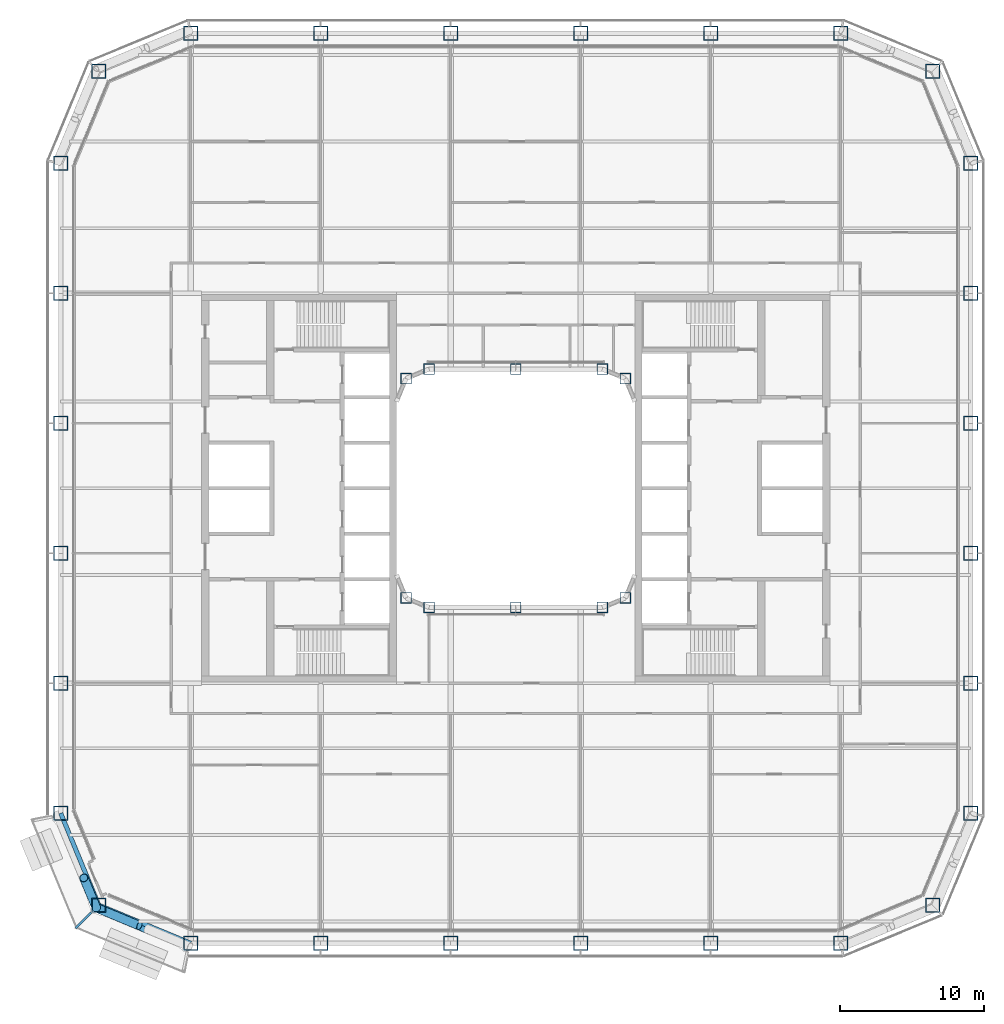
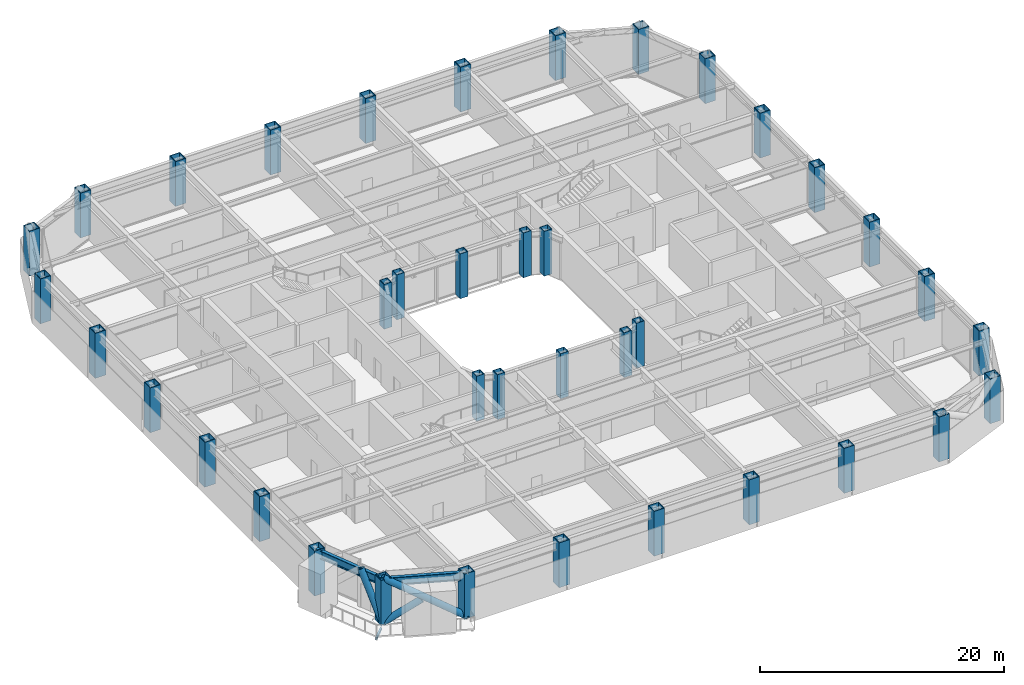
# One storey, part 1 of 27: 38 columns, 3 beams, 3 members.
"""IFC4 building model written with IfcOpenShell, lengths in metres."""

from ifc_helpers import new_model, si_unit, direction, frame, origin, origin_2d, place, context, subcontext, project, spatial, hollow_rectangle, hollow_circle, i_section, extrude, material, material_profile, profile_set, type_object, element, save


model = new_model("IFC4")

# Units and contexts
model_context = context("Model", 3, precision=1e-05, world=origin(), true_north=direction((0.0, 1.0)))
body_context = subcontext(model_context, "Body", "Model", "MODEL_VIEW")
ifc_project = project(units=[si_unit("LENGTHUNIT", "METRE"), si_unit("AREAUNIT", "SQUARE_METRE"), si_unit("VOLUMEUNIT", "CUBIC_METRE"), si_unit("PLANEANGLEUNIT", "RADIAN"), si_unit("MASSUNIT", "GRAM", prefix="KILO")], contexts=[model_context])

# Site, building, storey
site_placement = place(None, origin())
site = spatial("IfcSite", under=ifc_project, at=site_placement, CompositionType="ELEMENT")
building_placement = place(site_placement, origin())
building = spatial("IfcBuilding", under=site, at=building_placement, Name="Siwar Civic Tower", CompositionType="ELEMENT")
storey_placement = place(building_placement, frame((0.0, 0.0, 53.699951171875)))
storey = spatial("IfcBuildingStorey", under=building, at=storey_placement, Name="L11", CompositionType="ELEMENT", Elevation=53.699951171875)

# Columns
ifc_material_1 = material(Name="Steel S460", Category="steel")
ifc_material_profile_1 = material_profile(ifc_material_1, hollow_rectangle(XDim=1.0, YDim=1.0, WallThickness=0.06005859375, at=origin_2d()), Name="BOX1000x1000x60")
ifc_profile_set_1 = profile_set([ifc_material_profile_1], Name="Steel S460")
column_type_1 = type_object("IfcColumnType", Name="STR-COL-BOX1000x1000x60", PredefinedType="COLUMN", material=ifc_profile_set_1)
for number, where, z_axis, x_axis, name in (
    (1, (-22.5, -31.5, 0.0), (0.0, 0.0, 1.0), (1.0, 0.0, 0.0), "L11/col/S-0"),
    (2, (-13.5, -31.5, 0.0), (0.0, 0.0, 1.0), (1.0, 0.0, 0.0), "L11/col/S-1"),
    (3, (-4.5, -31.5, 0.0), (0.0, 0.0, 1.0), (1.0, 0.0, 0.0), "L11/col/S-2"),
    (4, (4.5, -31.5, 0.0), (0.0, 0.0, 1.0), (1.0, 0.0, 0.0), "L11/col/S-3"),
    (5, (13.5, -31.5, 0.0), (0.0, 0.0, 1.0), (1.0, 0.0, 0.0), "L11/col/S-4"),
    (6, (22.5, -31.5, 0.0), (0.0, 0.0, 1.0), (1.0, 0.0, 0.0), "L11/col/SE1-0"),
    (7, (28.864013671875, -28.864013671875, 0.0), (0.0, 0.0, 1.0), (1.0, 0.0, 0.0), "L11/col/SE2-0"),
    (8, (31.5, -22.5, 0.0), (0.0, 0.0, 1.0), (1.0, 0.0, 0.0), "L11/col/E-0"),
    (9, (31.5, -13.5, 0.0), (0.0, 0.0, 1.0), (1.0, 0.0, 0.0), "L11/col/E-1"),
    (10, (31.5, -4.5, 0.0), (0.0, 0.0, 1.0), (1.0, 0.0, 0.0), "L11/col/E-2"),
    (11, (31.5, 4.5, 0.0), (0.0, 0.0, 1.0), (1.0, 0.0, 0.0), "L11/col/E-3"),
    (12, (31.5, 13.5, 0.0), (0.0, 0.0, 1.0), (1.0, 0.0, 0.0), "L11/col/E-4"),
    (13, (31.5, 22.5, 0.0), (0.0, 0.0, 1.0), (1.0, 0.0, 0.0), "L11/col/NE1-0"),
    (14, (28.864013671875, 28.864013671875, 0.0), (0.0, 0.0, 1.0), (1.0, 0.0, 0.0), "L11/col/NE2-0"),
    (15, (22.5, 31.5, 0.0), (0.0, 0.0, 1.0), (1.0, 0.0, 0.0), "L11/col/N-0"),
    (16, (13.5, 31.5, 0.0), (0.0, 0.0, 1.0), (1.0, 0.0, 0.0), "L11/col/N-1"),
    (17, (4.5, 31.5, 0.0), (0.0, 0.0, 1.0), (1.0, 0.0, 0.0), "L11/col/N-2"),
    (18, (-4.5, 31.5, 0.0), (0.0, 0.0, 1.0), (1.0, 0.0, 0.0), "L11/col/N-3"),
    (19, (-13.5, 31.5, 0.0), (0.0, 0.0, 1.0), (1.0, 0.0, 0.0), "L11/col/N-4"),
    (20, (-22.5, 31.5, 0.0), (0.0, 0.0, 1.0), (1.0, 0.0, 0.0), "L11/col/NW1-0"),
    (21, (-28.864013671875, 28.864013671875, 0.0), (0.0, 0.0, 1.0), (1.0, 0.0, 0.0), "L11/col/NW2-0"),
    (22, (-31.5, 22.5, 0.0), (0.0, 0.0, 1.0), (1.0, 0.0, 0.0), "L11/col/W-0"),
    (23, (-31.5, 13.5, 0.0), (0.0, 0.0, 1.0), (1.0, 0.0, 0.0), "L11/col/W-1"),
    (24, (-31.5, 4.5, 0.0), (0.0, 0.0, 1.0), (1.0, 0.0, 0.0), "L11/col/W-2"),
    (25, (-31.5, -4.5, 0.0), (0.0, 0.0, 1.0), (1.0, 0.0, 0.0), "L11/col/W-3"),
    (26, (-31.5, -13.5, 0.0), (0.0, 0.0, 1.0), (1.0, 0.0, 0.0), "L11/col/W-4"),
    (27, (-31.5, -22.5, 0.0), (0.0, 0.0, 1.0), (1.0, 0.0, 0.0), "L11/col/SW1-0"),
    (28, (-28.864013671875, -28.864013671875, 0.0), (0.0, 0.0, 1.0), (1.0, 0.0, 0.0), "L11/col/SW2-0"),
):
    element("IfcColumn", number, at=place(storey_placement, frame(where, z_axis=z_axis, x_axis=x_axis)), inside=storey, type_object=column_type_1, Name=name, PredefinedType="COLUMN", context=body_context, shape_type="SweptSolid", body=[
        extrude(hollow_rectangle(XDim=1.0, YDim=1.0, WallThickness=0.06005859375, at=origin_2d()), origin(), (0.0, 0.0, 1.0), 4.5),
    ])
ifc_material_2 = material(Name="Steel S355", Category="steel")
ifc_material_profile_2 = material_profile(ifc_material_2, hollow_rectangle(XDim=0.75, YDim=0.75, WallThickness=0.044921875, at=origin_2d()), Name="BOX750x750x45")
ifc_profile_set_2 = profile_set([ifc_material_profile_2], Name="Steel S355")
column_type_2 = type_object("IfcColumnType", Name="STR-ICOL-BOX750x750x45", PredefinedType="COLUMN", material=ifc_profile_set_2)
for number, where, z_axis, x_axis, name in (
    (29, (-7.591064453125, -7.591064453125, 0.0), (0.0, 0.0, 1.0), (1.0, 0.0, 0.0), "L11/col/IS-0"),
    (30, (-6.0, -8.25, 0.0), (0.0, 0.0, 1.0), (1.0, 0.0, 0.0), "L11/col/IS-1"),
    (31, (0.0, -8.25, 0.0), (0.0, 0.0, 1.0), (1.0, 0.0, 0.0), "L11/col/IS-2"),
    (32, (6.0, -8.25, 0.0), (0.0, 0.0, 1.0), (1.0, 0.0, 0.0), "L11/col/IS-3"),
    (33, (7.591064453125, -7.591064453125, 0.0), (0.0, 0.0, 1.0), (1.0, 0.0, 0.0), "L11/col/IS-4"),
    (34, (-7.591064453125, 7.591064453125, 0.0), (0.0, 0.0, 1.0), (1.0, 0.0, 0.0), "L11/col/IN-0"),
    (35, (-6.0, 8.25, 0.0), (0.0, 0.0, 1.0), (1.0, 0.0, 0.0), "L11/col/IN-1"),
    (36, (0.0, 8.25, 0.0), (0.0, 0.0, 1.0), (1.0, 0.0, 0.0), "L11/col/IN-2"),
    (37, (6.0, 8.25, 0.0), (0.0, 0.0, 1.0), (1.0, 0.0, 0.0), "L11/col/IN-3"),
    (38, (7.591064453125, 7.591064453125, 0.0), (0.0, 0.0, 1.0), (1.0, 0.0, 0.0), "L11/col/IN-4"),
):
    element("IfcColumn", number, at=place(storey_placement, frame(where, z_axis=z_axis, x_axis=x_axis)), inside=storey, type_object=column_type_2, Name=name, PredefinedType="COLUMN", context=body_context, shape_type="SweptSolid", body=[
        extrude(hollow_rectangle(XDim=0.75, YDim=0.75, WallThickness=0.044921875, at=origin_2d()), origin(), (0.0, 0.0, 1.0), 4.5),
    ])

# Beam
ifc_material_3 = material(Name="Steel S355", Category="steel")
ifc_material_profile_3 = material_profile(ifc_material_3, hollow_rectangle(XDim=0.14990234375, YDim=0.25, WallThickness=0.010009765625, at=origin_2d()), Name="RHS250x150x10")
ifc_profile_set_3 = profile_set([ifc_material_profile_3], Name="Steel S355")
beam_type_1 = type_object("IfcBeamType", Name="ENV-BALCONY ARM", PredefinedType="BEAM", material=ifc_profile_set_3)
beam_placement = place(storey_placement, frame((-29.378662109375, -29.378662109375, -0.27490234375), z_axis=(-0.707106781187, -0.707106781187, 0.0), x_axis=(0.707106781187, -0.707106781187, 0.0)))
element("IfcBeam", 39, at=beam_placement, inside=storey, type_object=beam_type_1, Name="Balcony cantilever beam SW 2", PredefinedType="BEAM", context=body_context, shape_type="SweptSolid", body=[
    extrude(hollow_rectangle(XDim=0.14990234375, YDim=0.25, WallThickness=0.010009765625, at=origin_2d()), origin(), (0.0, 0.0, 1.0), 1.545166015625),
])

# Members
ifc_material_4 = material(Name="Steel S355", Category="steel")
ifc_material_profile_4 = material_profile(ifc_material_4, hollow_circle(Radius=0.304931640625, WallThickness=0.030029296875, at=origin_2d()), Name="CHS610x30")
ifc_profile_set_4 = profile_set([ifc_material_profile_4], Name="Steel S355")
member_type = type_object("IfcMemberType", Name="STR-BR-CHS610x30", PredefinedType="BRACE", material=ifc_profile_set_4)
member_1_placement = place(storey_placement, frame((-22.548828125, -31.7451171875, 0.0), z_axis=(-0.777554562952, 0.323905527954, 0.538975055633), x_axis=(-0.384538969033, -0.923108759191, 0.0)))
element("IfcMember", 40, at=member_1_placement, inside=storey, type_object=member_type, Name="L11/brc/ASW1-10-0-1", PredefinedType="BRACE", context=body_context, shape_type="SweptSolid", body=[
    extrude(hollow_circle(Radius=0.304931640625, WallThickness=0.030029296875, at=origin_2d()), origin(), (0.0, 0.0, 1.0), 8.34912109375),
])
member_2_placement = place(storey_placement, frame((-29.040771484375, -29.040771484375, 0.0), z_axis=(0.777542179573, -0.323922979564, 0.53898243227), x_axis=(0.384561842466, 0.923099230484, 0.0)))
element("IfcMember", 41, at=member_2_placement, inside=storey, type_object=member_type, Name="L11/brc/ASW1-10-0-2", PredefinedType="BRACE", context=body_context, shape_type="SweptSolid", body=[
    extrude(hollow_circle(Radius=0.304931640625, WallThickness=0.030029296875, at=origin_2d()), origin(), (0.0, 0.0, 1.0), 3.84375),
])
member_3_placement = place(storey_placement, frame((-29.040771484375, -29.040771484375, 0.0), z_axis=(-0.171426870802, 0.411570178484, 0.895110504993), x_axis=(-0.923125254544, -0.384499368559, 0.0)))
element("IfcMember", 42, at=member_3_placement, inside=storey, type_object=member_type, Name="L11/brc/ASW1-10-0-6", PredefinedType="BRACE", context=body_context, shape_type="SweptSolid", body=[
    extrude(hollow_circle(Radius=0.304931640625, WallThickness=0.030029296875, at=origin_2d()), origin(), (0.0, 0.0, 1.0), 5.02734375),
])

# Beams
ifc_material_5 = material(Name="Steel S355", Category="steel")
ifc_material_profile_5 = material_profile(ifc_material_5, i_section(OverallWidth=0.302978515625, OverallDepth=0.81396484375, WebThickness=0.02099609375, FlangeThickness=0.0400390625, FilletRadius=0.030029296875, at=origin_2d()), Name="HEM800")
ifc_profile_set_5 = profile_set([ifc_material_profile_5], Name="Steel S355")
beam_type_2 = type_object("IfcBeamType", Name="STR-SB-HEM800", PredefinedType="BEAM", material=ifc_profile_set_5)
for number, where, z_axis, x_axis, name in (
    (43, (-31.5, -22.5, 3.943115234375), (0.382674207535, -0.923883353507, 0.0), (0.923883353507, 0.382674207535, 0.0), "L11/bm/SSW1-0"),
    (44, (-28.864013671875, -28.864013671875, 3.943115234375), (0.923883353507, -0.382674207535, 0.0), (0.382674207535, 0.923883353507, 0.0), "L11/bm/SSW2-0"),
):
    element("IfcBeam", number, at=place(storey_placement, frame(where, z_axis=z_axis, x_axis=x_axis)), inside=storey, type_object=beam_type_2, Name=name, PredefinedType="BEAM", context=body_context, shape_type="SweptSolid", body=[
        extrude(i_section(OverallWidth=0.302978515625, OverallDepth=0.81396484375, WebThickness=0.02099609375, FlangeThickness=0.0400390625, FilletRadius=0.030029296875, at=origin_2d()), origin(), (0.0, 0.0, 1.0), 6.888427734375),
    ])

save(model, "model.ifc")
